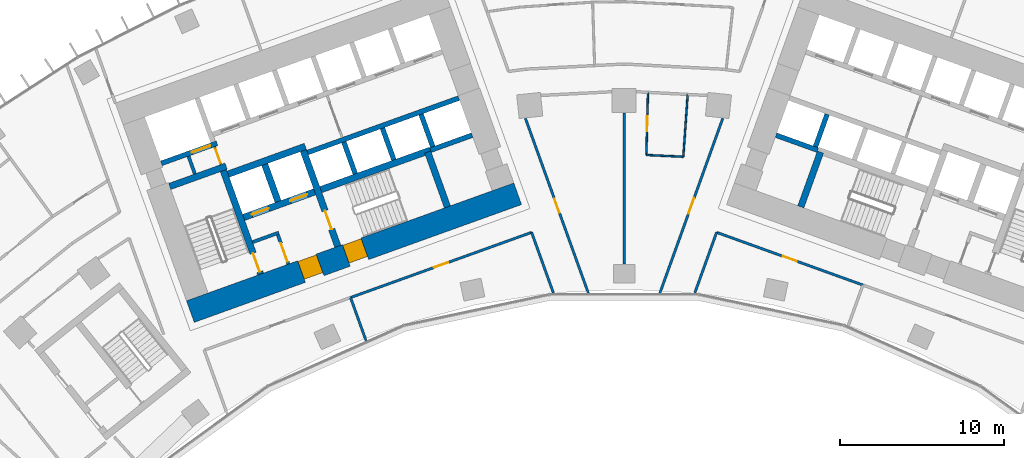
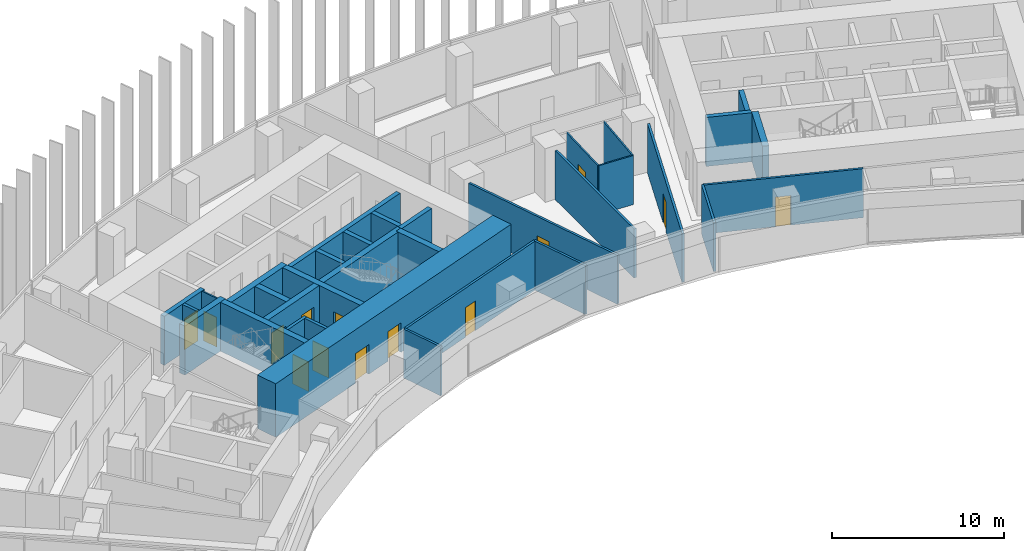
# One storey, part 17 of 23: 32 walls, 14 doors, 14 openings.
"""IFC4 building model written with IfcOpenShell, lengths in metres."""

from ifc_helpers import new_model, si_unit, direction, frame, frame_2d, origin, place, context, subcontext, project, spatial, rectangle, extrude, material, layer, layer_set, type_object, element, fill, save


model = new_model("IFC4")

# Units and contexts
model_context = context("Model", 3, precision=1e-05, world=origin(), true_north=direction((0.0, 1.0)))
body_context = subcontext(model_context, "Body", "Model", "MODEL_VIEW")
ifc_project = project(units=[si_unit("LENGTHUNIT", "METRE"), si_unit("AREAUNIT", "SQUARE_METRE"), si_unit("VOLUMEUNIT", "CUBIC_METRE"), si_unit("PLANEANGLEUNIT", "RADIAN"), si_unit("MASSUNIT", "GRAM", prefix="KILO")], contexts=[model_context])

# Site, building, storey
site_placement = place(None, origin())
site = spatial("IfcSite", under=ifc_project, at=site_placement, CompositionType="ELEMENT")
building_placement = place(site_placement, origin())
building = spatial("IfcBuilding", under=site, at=building_placement, Name="Stone Belt Terrace Tower", CompositionType="ELEMENT")
storey_placement = place(building_placement, frame((0.0, 0.0, 98.39990234375)))
storey = spatial("IfcBuildingStorey", under=building, at=storey_placement, Name="L23", CompositionType="ELEMENT", Elevation=98.39990234375)

# Wall, opening, door
ifc_material_1 = material(Name="Plasterboard partition")
ifc_layer_1 = layer(ifc_material_1, 0.10009765625)
ifc_layer_set_1 = layer_set([ifc_layer_1], Name="Core partition 100")
wall_type_1 = type_object("IfcWallType", Name="Core partition 100", PredefinedType="PARTITIONING", material=ifc_layer_set_1)
wall_1_placement = place(storey_placement, frame((-24.555908203125, 51.10400390625, 0.0), z_axis=(0.0, 0.0, 1.0), x_axis=(-0.338621735342, 0.94092258999, 0.0)))
wall_1 = element("IfcWall", 1, at=wall_1_placement, inside=storey, type_object=wall_type_1, Name="Core A wall", PredefinedType="PARTITIONING", context=body_context, shape_type="SweptSolid", body=[
    extrude(rectangle(XDim=1.14990234375, YDim=0.10009765625, at=frame_2d((0.574951171875, 0.0))), origin(), (0.0, 0.0, 1.0), 3.47998046875),
])
opening_1_placement = place(wall_1_placement, frame((0.050048828125, 0.0, 0.0)))
opening_1 = element("IfcOpeningElement", 2, at=opening_1_placement, cuts=wall_1, Name="Opening L23-C02", PredefinedType="OPENING", context=body_context, shape_type="SweptSolid", body=[
    extrude(rectangle(XDim=1.0, YDim=2.10009765625, at=frame_2d((0.5, 1.050048828125))), frame((0.0, 0.06005859375, 0.0), z_axis=(0.0, -1.0, 0.0), x_axis=(1.0, 0.0, 0.0)), (0.0, 0.0, 1.0), 0.1201171875),
])
ifc_material_2 = material(Name="Timber door leaf", Category="wood")
door_type_1 = type_object("IfcDoorType", Name="Core room door 1000", OperationType="SINGLE_SWING_LEFT", PredefinedType="DOOR", material=ifc_material_2)
door_1_placement = place(opening_1_placement, origin())
door_1 = element("IfcDoor", 3, at=door_1_placement, inside=storey, type_object=door_type_1, Name="Service lift lobby door core A", OperationType="SINGLE_SWING_RIGHT", OverallHeight=2.10009765625, OverallWidth=1.0, PredefinedType="DOOR", context=body_context, shape_type="SweptSolid", body=[
    extrude(rectangle(XDim=1.0, YDim=2.10009765625, at=frame_2d((0.5, 1.050048828125))), frame((0.0, 0.02490234375, 0.0), z_axis=(0.0, -1.0, 0.0), x_axis=(1.0, 0.0, 0.0)), (0.0, 0.0, 1.0), 0.050048828125),
])
fill(opening_1, door_1)

# Wall, openings, doors
ifc_material_3 = material(Name="Concrete B80", Category="concrete")
ifc_layer_2 = layer(ifc_material_3, 1.39990234375)
ifc_layer_set_2 = layer_set([ifc_layer_2], Name="Core wall 1400 B80")
wall_type_2 = type_object("IfcWallType", Name="Core wall 1400 B80", PredefinedType="SHEAR", material=ifc_layer_set_2)
wall_2_placement = place(storey_placement, frame((-26.430908203125, 42.139404296875, 0.0), z_axis=(0.0, 0.0, 1.0), x_axis=(0.940923374003, 0.33861955681, 0.0)))
wall_2 = element("IfcWall", 4, at=wall_2_placement, inside=storey, type_object=wall_type_2, Name="Core A wall concave L23", PredefinedType="SHEAR", context=body_context, shape_type="SweptSolid", body=[
    extrude(rectangle(XDim=21.199951171875, YDim=1.39990234375, at=frame_2d((10.60009765625, 0.0))), origin(), (0.0, 0.0, 1.0), 3.800048828125),
])
opening_2_placement = place(wall_2_placement, frame((7.199951171875, 0.0, 0.0)))
opening_2 = element("IfcOpeningElement", 5, at=opening_2_placement, cuts=wall_2, Name="Opening L23-C07", PredefinedType="OPENING", context=body_context, shape_type="SweptSolid", body=[
    extrude(rectangle(XDim=1.199951171875, YDim=2.10009765625, at=frame_2d((0.60009765625, 1.050048828125))), frame((0.0, 0.7099609375, 0.0), z_axis=(0.0, -1.0, 0.0), x_axis=(1.0, 0.0, 0.0)), (0.0, 0.0, 1.0), 1.419921875),
])
opening_3_placement = place(wall_2_placement, frame((10.099853515625, 0.0, 0.0)))
opening_3 = element("IfcOpeningElement", 6, at=opening_3_placement, cuts=wall_2, Name="Opening L23-C09", PredefinedType="OPENING", context=body_context, shape_type="SweptSolid", body=[
    extrude(rectangle(XDim=1.199951171875, YDim=2.10009765625, at=frame_2d((0.60009765625, 1.050048828125))), frame((0.0, 0.7099609375, 0.0), z_axis=(0.0, -1.0, 0.0), x_axis=(1.0, 0.0, 0.0)), (0.0, 0.0, 1.0), 1.419921875),
])
ifc_material_4 = material(Name="Steel door leaf", Category="steel")
door_type_2 = type_object("IfcDoorType", Name="Fire-fighting lobby door 1200", OperationType="SINGLE_SWING_LEFT", PredefinedType="DOOR", material=ifc_material_4)
door_2_placement = place(opening_2_placement, origin())
door_2 = element("IfcDoor", 7, at=door_2_placement, inside=storey, type_object=door_type_2, Name="Fire-fighting lobby door core A", OperationType="SINGLE_SWING_RIGHT", OverallHeight=2.10009765625, OverallWidth=1.199951171875, PredefinedType="DOOR", context=body_context, shape_type="SweptSolid", body=[
    extrude(rectangle(XDim=1.199951171875, YDim=2.10009765625, at=frame_2d((0.60009765625, 1.050048828125))), frame((0.0, 0.655029296875, 0.0), z_axis=(0.0, -1.0, 0.0), x_axis=(1.0, 0.0, 0.0)), (0.0, 0.0, 1.0), 1.14990234375),
])
fill(opening_2, door_2)
door_type_3 = type_object("IfcDoorType", Name="Stair door 1200", OperationType="SINGLE_SWING_LEFT", PredefinedType="DOOR", material=ifc_material_4)
door_3_placement = place(opening_3_placement, origin())
door_3 = element("IfcDoor", 8, at=door_3_placement, inside=storey, type_object=door_type_3, Name="Stair 2 exit door core A", OperationType="SINGLE_SWING_LEFT", OverallHeight=2.10009765625, OverallWidth=1.199951171875, PredefinedType="DOOR", context=body_context, shape_type="SweptSolid", body=[
    extrude(rectangle(XDim=1.199951171875, YDim=2.10009765625, at=frame_2d((0.60009765625, 1.050048828125))), frame((0.0, 0.655029296875, 0.0), z_axis=(0.0, -1.0, 0.0), x_axis=(1.0, 0.0, 0.0)), (0.0, 0.0, 1.0), 1.14990234375),
])
fill(opening_3, door_3)

# Walls
ifc_layer_3 = layer(ifc_material_3, 0.39990234375)
ifc_layer_set_3 = layer_set([ifc_layer_3], Name="Fire-fighting lift shaft wall 400")
wall_type_3 = type_object("IfcWallType", Name="Fire-fighting lift shaft wall 400", PredefinedType="SHEAR", material=ifc_layer_set_3)
wall_3_placement = place(storey_placement, frame((-24.130615234375, 50.512939453125, 0.0), z_axis=(0.0, 0.0, 1.0), x_axis=(0.94091168377, 0.338652038744, 0.0)))
element("IfcWall", 9, at=wall_3_placement, inside=storey, type_object=wall_type_3, Name="Core A wall", PredefinedType="SHEAR", context=body_context, shape_type="SweptSolid", body=[
    extrude(rectangle(XDim=5.000244140625, YDim=0.39990234375, at=frame_2d((2.5, 0.0))), origin(), (0.0, 0.0, 1.0), 3.47998046875),
])
wall_4_placement = place(storey_placement, frame((-21.0859375, 48.845458984375, 0.0), z_axis=(0.0, 0.0, 1.0), x_axis=(-0.338629416206, 0.940919825745, 0.0)))
element("IfcWall", 10, at=wall_4_placement, inside=storey, type_object=wall_type_3, Name="Core A wall", PredefinedType="SHEAR", context=body_context, shape_type="SweptSolid", body=[
    extrude(rectangle(XDim=2.400146484375, YDim=0.39990234375, at=frame_2d((1.2001953125, 0.0))), origin(), (0.0, 0.0, 1.0), 3.47998046875),
])

# Wall, opening, door
ifc_layer_4 = layer(ifc_material_3, 0.300048828125)
ifc_layer_set_4 = layer_set([ifc_layer_4], Name="Lift shaft wall 300")
wall_type_4 = type_object("IfcWallType", Name="Lift shaft wall 300", PredefinedType="SHEAR", material=ifc_layer_set_4)
wall_5_placement = place(storey_placement, frame((-28.195068359375, 51.17578125, 0.0), z_axis=(0.0, 0.0, 1.0), x_axis=(0.940901243567, 0.338681044427, 0.0)))
wall_5 = element("IfcWall", 11, at=wall_5_placement, inside=storey, type_object=wall_type_4, Name="Core A wall", PredefinedType="SHEAR", context=body_context, shape_type="SweptSolid", body=[
    extrude(rectangle(XDim=3.599853515625, YDim=0.300048828125, at=frame_2d((1.7998046875, 0.0))), origin(), (0.0, 0.0, 1.0), 3.47998046875),
])
opening_4_placement = place(wall_5_placement, frame((1.969970703125, 0.0, 0.0)))
opening_4 = element("IfcOpeningElement", 12, at=opening_4_placement, cuts=wall_5, Name="Opening L23-LD09", PredefinedType="OPENING", context=body_context, shape_type="SweptSolid", body=[
    extrude(rectangle(XDim=1.199951171875, YDim=2.199951171875, at=frame_2d((0.60009765625, 1.10009765625))), frame((0.0, 0.159912109375, 0.0), z_axis=(0.0, -1.0, 0.0), x_axis=(1.0, 0.0, 0.0)), (0.0, 0.0, 1.0), 0.320068359375),
])
ifc_material_5 = material(Name="Stainless steel door leaf", Category="steel")
door_type_4 = type_object("IfcDoorType", Name="Landing door 1200", OperationType="SLIDING_TO_LEFT", PredefinedType="DOOR", material=ifc_material_5)
door_4_placement = place(opening_4_placement, origin())
door_4 = element("IfcDoor", 13, at=door_4_placement, inside=storey, type_object=door_type_4, Name="Landing door SV1 core A", OperationType="SLIDING_TO_LEFT", OverallHeight=2.199951171875, OverallWidth=1.199951171875, PredefinedType="DOOR", context=body_context, shape_type="SweptSolid", body=[
    extrude(rectangle(XDim=1.199951171875, YDim=2.199951171875, at=frame_2d((0.60009765625, 1.10009765625))), frame((0.0, 0.02490234375, 0.0), z_axis=(0.0, -1.0, 0.0), x_axis=(1.0, 0.0, 0.0)), (0.0, 0.0, 1.0), 0.050048828125),
])
fill(opening_4, door_4)

# Walls
wall_6_placement = place(storey_placement, frame((-19.29052734375, 51.829833984375, 0.0), z_axis=(0.0, 0.0, 1.0), x_axis=(0.940925833398, 0.338612722803, 0.0)))
element("IfcWall", 14, at=wall_6_placement, inside=storey, type_object=wall_type_4, Name="Core A wall", PredefinedType="SHEAR", context=body_context, shape_type="SweptSolid", body=[
    extrude(rectangle(XDim=9.7998046875, YDim=0.300048828125, at=frame_2d((4.89990234375, 0.0))), origin(), (0.0, 0.0, 1.0), 3.47998046875),
])
for number, where, z_axis, x_axis, name in (
    (15, (-16.38134765625, 50.53857421875, 0.0), (0.0, 0.0, 1.0), (-0.338681515556, 0.940901073982, 0.0), "Core A wall"),
    (16, (-14.029052734375, 51.38525390625, 0.0), (0.0, 0.0, 1.0), (-0.338681515556, 0.940901073982, 0.0), "Core A wall"),
):
    element("IfcWall", number, at=place(storey_placement, frame(where, z_axis=z_axis, x_axis=x_axis)), inside=storey, type_object=wall_type_4, Name=name, PredefinedType="SHEAR", context=body_context, shape_type="SweptSolid", body=[
        extrude(rectangle(XDim=2.050048828125, YDim=0.300048828125, at=frame_2d((1.02490234375, 0.0))), origin(), (0.0, 0.0, 1.0), 3.47998046875),
    ])
wall_7_placement = place(storey_placement, frame((-11.797119140625, 51.975830078125, 0.0), z_axis=(0.0, 0.0, 1.0), x_axis=(0.940910465161, 0.33865542451, 0.0)))
element("IfcWall", 17, at=wall_7_placement, inside=storey, type_object=wall_type_4, Name="Core A wall", PredefinedType="SHEAR", context=body_context, shape_type="SweptSolid", body=[
    extrude(rectangle(XDim=2.69970703125, YDim=0.300048828125, at=frame_2d((1.349853515625, 0.0))), origin(), (0.0, 0.0, 1.0), 3.47998046875),
])
wall_8_placement = place(storey_placement, frame((-11.659912109375, 52.184814453125, 0.0), z_axis=(0.0, 0.0, 1.0), x_axis=(-0.338670064856, 0.940905195634, 0.0)))
element("IfcWall", 18, at=wall_8_placement, inside=storey, type_object=wall_type_4, Name="Core A wall", PredefinedType="SHEAR", context=body_context, shape_type="SweptSolid", body=[
    extrude(rectangle(XDim=2.099853515625, YDim=0.300048828125, at=frame_2d((1.0498046875, 0.0))), origin(), (0.0, 0.0, 1.0), 3.47998046875),
])
wall_9_placement = place(storey_placement, frame((11.797119140625, 51.975830078125, 0.0), z_axis=(0.0, 0.0, 1.0), x_axis=(-0.940910465161, 0.33865542451, 0.0)))
element("IfcWall", 19, at=wall_9_placement, inside=storey, type_object=wall_type_4, Name="Core B wall", PredefinedType="SHEAR", context=body_context, shape_type="SweptSolid", body=[
    extrude(rectangle(XDim=2.69970703125, YDim=0.300048828125, at=frame_2d((1.349853515625, 0.0))), origin(), (0.0, 0.0, 1.0), 3.47998046875),
])
wall_10_placement = place(storey_placement, frame((11.659912109375, 52.184814453125, 0.0), z_axis=(0.0, 0.0, 1.0), x_axis=(0.338670064856, 0.940905195634, 0.0)))
element("IfcWall", 20, at=wall_10_placement, inside=storey, type_object=wall_type_4, Name="Core B wall", PredefinedType="SHEAR", context=body_context, shape_type="SweptSolid", body=[
    extrude(rectangle(XDim=2.099853515625, YDim=0.300048828125, at=frame_2d((1.0498046875, 0.0))), origin(), (0.0, 0.0, 1.0), 3.47998046875),
])

# Wall, opening, door
ifc_material_6 = material(Name="Gypsum board partition")
ifc_layer_5 = layer(ifc_material_6, 0.10009765625)
ifc_layer_set_5 = layer_set([ifc_layer_5], Name="PARTITION 100")
wall_type_5 = type_object("IfcWallType", Name="PARTITION 100", PredefinedType="PARTITIONING", material=ifc_layer_set_5)
wall_11_placement = place(storey_placement, frame((1.4541015625, 55.4990234375, 0.0), z_axis=(0.0, 0.0, 1.0), x_axis=(-0.025958630336, -0.999663017977, 0.0)))
wall_11 = element("IfcWall", 21, at=wall_11_placement, inside=storey, type_object=wall_type_5, Name="L23/wall/i090", PredefinedType="PARTITIONING", context=body_context, shape_type="SweptSolid", body=[
    extrude(rectangle(XDim=3.818359375, YDim=0.10009765625, at=frame_2d((1.9091796875, 0.0))), origin(), (0.0, 0.0, 1.0), 3.47998046875),
])
opening_5_placement = place(wall_11_placement, frame((1.459228515625, 0.0, 0.0)))
opening_5 = element("IfcOpeningElement", 22, at=opening_5_placement, cuts=wall_11, Name="Opening D-B2-28", PredefinedType="OPENING", context=body_context, shape_type="SweptSolid", body=[
    extrude(rectangle(XDim=0.89990234375, YDim=2.10009765625, at=frame_2d((0.449951171875, 1.050048828125))), frame((0.0, 0.06005859375, 0.0), z_axis=(0.0, -1.0, 0.0), x_axis=(1.0, 0.0, 0.0)), (0.0, 0.0, 1.0), 0.1201171875),
])
door_type_5 = type_object("IfcDoorType", Name="OFFICE DOOR 900 X 2100", OperationType="NOTDEFINED", PredefinedType="DOOR", material=ifc_material_2)
door_5_placement = place(opening_5_placement, origin())
door_5 = element("IfcDoor", 23, at=door_5_placement, inside=storey, type_object=door_type_5, Name="L23/door/i28", OperationType="SINGLE_SWING_RIGHT", OverallHeight=2.10009765625, OverallWidth=0.89990234375, PredefinedType="DOOR", context=body_context, shape_type="SweptSolid", body=[
    extrude(rectangle(XDim=0.89990234375, YDim=2.10009765625, at=frame_2d((0.449951171875, 1.050048828125))), frame((0.0, 0.02490234375, 0.0), z_axis=(0.0, -1.0, 0.0), x_axis=(1.0, 0.0, 0.0)), (0.0, 0.0, 1.0), 0.050048828125),
])
fill(opening_5, door_5)

# Walls
wall_12_placement = place(storey_placement, frame((1.35498046875, 51.681884765625, 0.0), z_axis=(0.0, 0.0, 1.0), x_axis=(0.998855865407, -0.047822172066, 0.0)))
element("IfcWall", 24, at=wall_12_placement, inside=storey, type_object=wall_type_5, Name="L23/wall/i091", PredefinedType="PARTITIONING", context=body_context, shape_type="SweptSolid", body=[
    extrude(rectangle(XDim=2.256591796875, YDim=0.10009765625, at=frame_2d((1.12841796875, 0.0))), origin(), (0.0, 0.0, 1.0), 3.47998046875),
])
wall_13_placement = place(storey_placement, frame((3.60888671875, 51.573974609375, 0.0), z_axis=(0.0, 0.0, 1.0), x_axis=(0.069893575531, 0.997554453701, 0.0)))
element("IfcWall", 25, at=wall_13_placement, inside=storey, type_object=wall_type_5, Name="L23/wall/i092", PredefinedType="PARTITIONING", context=body_context, shape_type="SweptSolid", body=[
    extrude(rectangle(XDim=3.807373046875, YDim=0.10009765625, at=frame_2d((1.90380859375, 0.0))), origin(), (0.0, 0.0, 1.0), 3.47998046875),
])
ifc_layer_6 = layer(ifc_material_6, 0.14990234375)
ifc_layer_set_6 = layer_set([ifc_layer_6], Name="PARTITION 150 EI 60")
wall_type_6 = type_object("IfcWallType", Name="PARTITION 150 EI 60", PredefinedType="PARTITIONING", material=ifc_layer_set_6)
wall_14_placement = place(storey_placement, frame((-4.31005859375, 43.27783203125, 0.0), z_axis=(0.0, 0.0, 1.0), x_axis=(-0.338490436495, 0.940969831823, 0.0)))
element("IfcWall", 26, at=wall_14_placement, inside=storey, type_object=wall_type_6, Name="L23/wall/i007", PredefinedType="PARTITIONING", context=body_context, shape_type="SweptSolid", body=[
    extrude(rectangle(XDim=3.92578125, YDim=0.14990234375, at=frame_2d((1.962890625, 0.0))), origin(), (0.0, 0.0, 1.0), 3.47998046875),
])

# Wall, opening, door
wall_15_placement = place(storey_placement, frame((-6.011962890625, 53.911865234375, 0.0), z_axis=(0.0, 0.0, 1.0), x_axis=(0.338656837626, -0.940909956547, 0.0)))
wall_15 = element("IfcWall", 27, at=wall_15_placement, inside=storey, type_object=wall_type_6, Name="L23/wall/i009", PredefinedType="PARTITIONING", context=body_context, shape_type="SweptSolid", body=[
    extrude(rectangle(XDim=11.319091796875, YDim=0.14990234375, at=frame_2d((5.65966796875, 0.0))), origin(), (0.0, 0.0, 1.0), 3.47998046875),
])
opening_6_placement = place(wall_15_placement, frame((5.20947265625, 0.0, 0.0)))
opening_6 = element("IfcOpeningElement", 28, at=opening_6_placement, cuts=wall_15, Name="Opening D-B2-26", PredefinedType="OPENING", context=body_context, shape_type="SweptSolid", body=[
    extrude(rectangle(XDim=0.89990234375, YDim=2.10009765625, at=frame_2d((0.449951171875, 1.050048828125))), frame((0.0, 0.0849609375, 0.0), z_axis=(0.0, -1.0, 0.0), x_axis=(1.0, 0.0, 0.0)), (0.0, 0.0, 1.0), 0.169921875),
])
door_6_placement = place(opening_6_placement, origin())
door_6 = element("IfcDoor", 29, at=door_6_placement, inside=storey, type_object=door_type_5, Name="L23/door/i26", OperationType="SINGLE_SWING_RIGHT", OverallHeight=2.10009765625, OverallWidth=0.89990234375, PredefinedType="DOOR", context=body_context, shape_type="SweptSolid", body=[
    extrude(rectangle(XDim=0.89990234375, YDim=2.10009765625, at=frame_2d((0.449951171875, 1.050048828125))), frame((0.0, 0.02490234375, 0.0), z_axis=(0.0, -1.0, 0.0), x_axis=(1.0, 0.0, 0.0)), (0.0, 0.0, 1.0), 0.050048828125),
])
fill(opening_6, door_6)

wall_16_placement = place(storey_placement, frame((-5.636962890625, 46.966064453125, 0.0), z_axis=(0.0, 0.0, 1.0), x_axis=(-0.940912345084, -0.338650201342, 0.0)))
wall_16 = element("IfcWall", 30, at=wall_16_placement, inside=storey, type_object=wall_type_6, Name="L23/wall/i013", PredefinedType="PARTITIONING", context=body_context, shape_type="SweptSolid", body=[
    extrude(rectangle(XDim=11.732177734375, YDim=0.14990234375, at=frame_2d((5.8662109375, 0.0))), origin(), (0.0, 0.0, 1.0), 3.47998046875),
])
opening_7_placement = place(wall_16_placement, frame((5.416015625, 0.0, 0.0)))
opening_7 = element("IfcOpeningElement", 31, at=opening_7_placement, cuts=wall_16, Name="Opening D-B2-02", PredefinedType="OPENING", context=body_context, shape_type="SweptSolid", body=[
    extrude(rectangle(XDim=0.89990234375, YDim=2.10009765625, at=frame_2d((0.449951171875, 1.050048828125))), frame((0.0, 0.0849609375, 0.0), z_axis=(0.0, -1.0, 0.0), x_axis=(1.0, 0.0, 0.0)), (0.0, 0.0, 1.0), 0.169921875),
])
door_7_placement = place(opening_7_placement, origin())
door_7 = element("IfcDoor", 32, at=door_7_placement, inside=storey, type_object=door_type_5, Name="L23/door/i02", OperationType="SINGLE_SWING_RIGHT", OverallHeight=2.10009765625, OverallWidth=0.89990234375, PredefinedType="DOOR", context=body_context, shape_type="SweptSolid", body=[
    extrude(rectangle(XDim=0.89990234375, YDim=2.10009765625, at=frame_2d((0.449951171875, 1.050048828125))), frame((0.0, 0.02490234375, 0.0), z_axis=(0.0, -1.0, 0.0), x_axis=(1.0, 0.0, 0.0)), (0.0, 0.0, 1.0), 0.050048828125),
])
fill(opening_7, door_7)

# Walls
wall_17_placement = place(storey_placement, frame((-16.669921875, 42.9951171875, 0.0), z_axis=(0.0, 0.0, 1.0), x_axis=(0.338497487459, -0.940967295385, 0.0)))
element("IfcWall", 33, at=wall_17_placement, inside=storey, type_object=wall_type_6, Name="L23/wall/i014", PredefinedType="PARTITIONING", context=body_context, shape_type="SweptSolid", body=[
    extrude(rectangle(XDim=2.80419921875, YDim=0.14990234375, at=frame_2d((1.402099609375, 0.0))), origin(), (0.0, 0.0, 1.0), 3.47998046875),
])
wall_18_placement = place(storey_placement, frame((5.638916015625, 46.971923828125, 0.0), z_axis=(0.0, 0.0, 1.0), x_axis=(-0.338490436495, -0.940969831823, 0.0)))
element("IfcWall", 34, at=wall_18_placement, inside=storey, type_object=wall_type_6, Name="L23/wall/i016", PredefinedType="PARTITIONING", context=body_context, shape_type="SweptSolid", body=[
    extrude(rectangle(XDim=3.92578125, YDim=0.14990234375, at=frame_2d((1.962890625, 0.0))), origin(), (0.0, 0.0, 1.0), 3.47998046875),
])

# Wall, opening, door
wall_19_placement = place(storey_placement, frame((2.1787109375, 43.26171875, 0.0), z_axis=(0.0, 0.0, 1.0), x_axis=(0.338656837626, 0.940909956547, 0.0)))
wall_19 = element("IfcWall", 35, at=wall_19_placement, inside=storey, type_object=wall_type_6, Name="L23/wall/i018", PredefinedType="PARTITIONING", context=body_context, shape_type="SweptSolid", body=[
    extrude(rectangle(XDim=11.319091796875, YDim=0.14990234375, at=frame_2d((5.65966796875, 0.0))), origin(), (0.0, 0.0, 1.0), 3.47998046875),
])
opening_8_placement = place(wall_19_placement, frame((5.159423828125, 0.0, 0.0)))
opening_8 = element("IfcOpeningElement", 36, at=opening_8_placement, cuts=wall_19, Name="Opening D-B2-27", PredefinedType="OPENING", context=body_context, shape_type="SweptSolid", body=[
    extrude(rectangle(XDim=1.0, YDim=2.10009765625, at=frame_2d((0.5, 1.050048828125))), frame((0.0, 0.0849609375, 0.0), z_axis=(0.0, -1.0, 0.0), x_axis=(1.0, 0.0, 0.0)), (0.0, 0.0, 1.0), 0.169921875),
])
ifc_material_7 = material(Name="Timber fire door leaf", Category="wood")
door_type_6 = type_object("IfcDoorType", Name="TENANCY ENTRANCE DOOR 1000 X 2100", OperationType="NOTDEFINED", PredefinedType="DOOR", material=ifc_material_7)
door_8_placement = place(opening_8_placement, origin())
door_8 = element("IfcDoor", 37, at=door_8_placement, inside=storey, type_object=door_type_6, Name="L23/door/i27", OperationType="SINGLE_SWING_LEFT", OverallHeight=2.10009765625, OverallWidth=1.0, PredefinedType="DOOR", context=body_context, shape_type="SweptSolid", body=[
    extrude(rectangle(XDim=1.0, YDim=2.10009765625, at=frame_2d((0.5, 1.050048828125))), frame((0.0, 0.02490234375, 0.0), z_axis=(0.0, -1.0, 0.0), x_axis=(1.0, 0.0, 0.0)), (0.0, 0.0, 1.0), 0.050048828125),
])
fill(opening_8, door_8)

wall_20_placement = place(storey_placement, frame((14.55810546875, 43.7548828125, 0.0), z_axis=(0.0, 0.0, 1.0), x_axis=(-0.940901853913, 0.3386793488, 0.0)))
wall_20 = element("IfcWall", 38, at=wall_20_placement, inside=storey, type_object=wall_type_6, Name="L23/wall/i023", PredefinedType="PARTITIONING", context=body_context, shape_type="SweptSolid", body=[
    extrude(rectangle(XDim=9.4814453125, YDim=0.14990234375, at=frame_2d((4.74072265625, 0.0))), origin(), (0.0, 0.0, 1.0), 3.47998046875),
])
opening_9_placement = place(wall_20_placement, frame((4.29052734375, 0.0, 0.0)))
opening_9 = element("IfcOpeningElement", 39, at=opening_9_placement, cuts=wall_20, Name="Opening D-B2-05", PredefinedType="OPENING", context=body_context, shape_type="SweptSolid", body=[
    extrude(rectangle(XDim=0.89990234375, YDim=2.10009765625, at=frame_2d((0.449951171875, 1.050048828125))), frame((0.0, 0.0849609375, 0.0), z_axis=(0.0, -1.0, 0.0), x_axis=(1.0, 0.0, 0.0)), (0.0, 0.0, 1.0), 0.169921875),
])
door_9_placement = place(opening_9_placement, origin())
door_9 = element("IfcDoor", 40, at=door_9_placement, inside=storey, type_object=door_type_5, Name="L23/door/i05", OperationType="SINGLE_SWING_RIGHT", OverallHeight=2.10009765625, OverallWidth=0.89990234375, PredefinedType="DOOR", context=body_context, shape_type="SweptSolid", body=[
    extrude(rectangle(XDim=0.89990234375, YDim=2.10009765625, at=frame_2d((0.449951171875, 1.050048828125))), frame((0.0, 0.02490234375, 0.0), z_axis=(0.0, -1.0, 0.0), x_axis=(1.0, 0.0, 0.0)), (0.0, 0.0, 1.0), 0.050048828125),
])
fill(opening_9, door_9)

# Walls
wall_21_placement = place(storey_placement, frame((0.0, 54.2451171875, 0.0), z_axis=(0.0, 0.0, 1.0), x_axis=(0.0, -1.0, 0.0)))
element("IfcWall", 41, at=wall_21_placement, inside=storey, type_object=wall_type_6, Name="L23/wall/i089", PredefinedType="PARTITIONING", context=body_context, shape_type="SweptSolid", body=[
    extrude(rectangle(XDim=9.195068359375, YDim=0.14990234375, at=frame_2d((4.59765625, 0.0))), origin(), (0.0, 0.0, 1.0), 3.47998046875),
])
ifc_material_8 = material(Name="Concrete masonry block", Category="masonry")
ifc_layer_7 = layer(ifc_material_8, 0.199951171875)
ifc_layer_set_7 = layer_set([ifc_layer_7], Name="Rated lobby wall 200")
wall_type_7 = type_object("IfcWallType", Name="Rated lobby wall 200", PredefinedType="PARTITIONING", material=ifc_layer_set_7)
wall_22_placement = place(storey_placement, frame((-26.1552734375, 50.5283203125, 0.0), z_axis=(0.0, 0.0, 1.0), x_axis=(-0.338621735342, 0.94092258999, 0.0)))
element("IfcWall", 42, at=wall_22_placement, inside=storey, type_object=wall_type_7, Name="Core A wall", PredefinedType="PARTITIONING", context=body_context, shape_type="SweptSolid", body=[
    extrude(rectangle(XDim=1.14990234375, YDim=0.199951171875, at=frame_2d((0.574951171875, 0.0))), origin(), (0.0, 0.0, 1.0), 3.47998046875),
])
wall_23_placement = place(storey_placement, frame((-22.640625, 46.373046875, 0.0), z_axis=(0.0, 0.0, 1.0), x_axis=(0.940966110313, 0.338500781747, 0.0)))
element("IfcWall", 43, at=wall_23_placement, inside=storey, type_object=wall_type_7, Name="Core A wall", PredefinedType="PARTITIONING", context=body_context, shape_type="SweptSolid", body=[
    extrude(rectangle(XDim=1.699951171875, YDim=0.199951171875, at=frame_2d((0.85009765625, 0.0))), origin(), (0.0, 0.0, 1.0), 3.47998046875),
])

# Wall, opening, door
wall_24_placement = place(storey_placement, frame((-20.4580078125, 45.032958984375, 0.0), z_axis=(0.0, 0.0, 1.0), x_axis=(-0.338573865316, 0.940939816208, 0.0)))
wall_24 = element("IfcWall", 44, at=wall_24_placement, inside=storey, type_object=wall_type_7, Name="Core A wall", PredefinedType="PARTITIONING", context=body_context, shape_type="SweptSolid", body=[
    extrude(rectangle(XDim=1.900146484375, YDim=0.199951171875, at=frame_2d((0.9501953125, 0.0))), origin(), (0.0, 0.0, 1.0), 3.47998046875),
])
opening_10_placement = place(wall_24_placement, frame((0.14990234375, 0.0, 0.0)))
opening_10 = element("IfcOpeningElement", 45, at=opening_10_placement, cuts=wall_24, Name="Opening L23-C06", PredefinedType="OPENING", context=body_context, shape_type="SweptSolid", body=[
    extrude(rectangle(XDim=1.199951171875, YDim=2.10009765625, at=frame_2d((0.60009765625, 1.050048828125))), frame((0.0, 0.10986328125, 0.0), z_axis=(0.0, -1.0, 0.0), x_axis=(1.0, 0.0, 0.0)), (0.0, 0.0, 1.0), 0.219970703125),
])
door_10_placement = place(opening_10_placement, origin())
door_10 = element("IfcDoor", 46, at=door_10_placement, inside=storey, type_object=door_type_3, Name="Stair airlock door core A", OperationType="SINGLE_SWING_RIGHT", OverallHeight=2.10009765625, OverallWidth=1.199951171875, PredefinedType="DOOR", context=body_context, shape_type="SweptSolid", body=[
    extrude(rectangle(XDim=1.199951171875, YDim=2.10009765625, at=frame_2d((0.60009765625, 1.050048828125))), frame((0.0, 0.02490234375, 0.0), z_axis=(0.0, -1.0, 0.0), x_axis=(1.0, 0.0, 0.0)), (0.0, 0.0, 1.0), 0.050048828125),
])
fill(opening_10, door_10)

# Wall
ifc_layer_8 = layer(ifc_material_3, 0.39990234375)
ifc_layer_set_8 = layer_set([ifc_layer_8], Name="Stair enclosure wall 400")
wall_type_8 = type_object("IfcWallType", Name="Stair enclosure wall 400", PredefinedType="SHEAR", material=ifc_layer_set_8)
wall_25_placement = place(storey_placement, frame((-27.687255859375, 49.764404296875, 0.0), z_axis=(0.0, 0.0, 1.0), x_axis=(0.940918954884, 0.338631835981, 0.0)))
element("IfcWall", 47, at=wall_25_placement, inside=storey, type_object=wall_type_8, Name="Core A wall", PredefinedType="SHEAR", context=body_context, shape_type="SweptSolid", body=[
    extrude(rectangle(XDim=3.650146484375, YDim=0.39990234375, at=frame_2d((1.8251953125, 0.0))), origin(), (0.0, 0.0, 1.0), 3.47998046875),
])

# Wall, opening, door
wall_26_placement = place(storey_placement, frame((-22.151611328125, 44.42333984375, 0.0), z_axis=(0.0, 0.0, 1.0), x_axis=(-0.338625272931, 0.940921316866, 0.0)))
wall_26 = element("IfcWall", 48, at=wall_26_placement, inside=storey, type_object=wall_type_8, Name="Core A wall", PredefinedType="SHEAR", context=body_context, shape_type="SweptSolid", body=[
    extrude(rectangle(XDim=6.699951171875, YDim=0.39990234375, at=frame_2d((3.35009765625, 0.0))), origin(), (0.0, 0.0, 1.0), 3.47998046875),
])
opening_11_placement = place(wall_26_placement, frame((0.14990234375, 0.0, 0.0)))
opening_11 = element("IfcOpeningElement", 49, at=opening_11_placement, cuts=wall_26, Name="Opening L23-C05", PredefinedType="OPENING", context=body_context, shape_type="SweptSolid", body=[
    extrude(rectangle(XDim=1.199951171875, YDim=2.10009765625, at=frame_2d((0.60009765625, 1.050048828125))), frame((0.0, 0.2099609375, 0.0), z_axis=(0.0, -1.0, 0.0), x_axis=(1.0, 0.0, 0.0)), (0.0, 0.0, 1.0), 0.419921875),
])
door_11_placement = place(opening_11_placement, origin())
door_11 = element("IfcDoor", 50, at=door_11_placement, inside=storey, type_object=door_type_3, Name="Stair 1 door core A", OperationType="SINGLE_SWING_RIGHT", OverallHeight=2.10009765625, OverallWidth=1.199951171875, PredefinedType="DOOR", context=body_context, shape_type="SweptSolid", body=[
    extrude(rectangle(XDim=1.199951171875, YDim=2.10009765625, at=frame_2d((0.60009765625, 1.050048828125))), frame((0.0, 0.02490234375, 0.0), z_axis=(0.0, -1.0, 0.0), x_axis=(1.0, 0.0, 0.0)), (0.0, 0.0, 1.0), 0.050048828125),
])
fill(opening_11, door_11)

# Wall, openings, doors
wall_27_placement = place(storey_placement, frame((-23.182373046875, 47.87841796875, 0.0), z_axis=(0.0, 0.0, 1.0), x_axis=(0.940921101762, 0.338625870628, 0.0)))
wall_27 = element("IfcWall", 51, at=wall_27_placement, inside=storey, type_object=wall_type_8, Name="Core A wall", PredefinedType="SHEAR", context=body_context, shape_type="SweptSolid", body=[
    extrude(rectangle(XDim=12.10009765625, YDim=0.39990234375, at=frame_2d((6.050048828125, 0.0))), origin(), (0.0, 0.0, 1.0), 3.47998046875),
])
opening_12_placement = place(wall_27_placement, frame((0.52001953125, 0.0, 0.0)))
opening_12 = element("IfcOpeningElement", 52, at=opening_12_placement, cuts=wall_27, Name="Opening L23-LD07", PredefinedType="OPENING", context=body_context, shape_type="SweptSolid", body=[
    extrude(rectangle(XDim=1.10009765625, YDim=2.199951171875, at=frame_2d((0.550048828125, 1.10009765625))), frame((0.0, 0.2099609375, 0.0), z_axis=(0.0, -1.0, 0.0), x_axis=(1.0, 0.0, 0.0)), (0.0, 0.0, 1.0), 0.419921875),
])
opening_13_placement = place(wall_27_placement, frame((3.02001953125, 0.0, 0.0)))
opening_13 = element("IfcOpeningElement", 53, at=opening_13_placement, cuts=wall_27, Name="Opening L23-LD08", PredefinedType="OPENING", context=body_context, shape_type="SweptSolid", body=[
    extrude(rectangle(XDim=1.10009765625, YDim=2.199951171875, at=frame_2d((0.550048828125, 1.10009765625))), frame((0.0, 0.2099609375, 0.0), z_axis=(0.0, -1.0, 0.0), x_axis=(1.0, 0.0, 0.0)), (0.0, 0.0, 1.0), 0.419921875),
])
door_type_7 = type_object("IfcDoorType", Name="Landing door 1100", OperationType="SLIDING_TO_LEFT", PredefinedType="DOOR", material=ifc_material_5)
door_12_placement = place(opening_12_placement, origin())
door_12 = element("IfcDoor", 54, at=door_12_placement, inside=storey, type_object=door_type_7, Name="Landing door FF1 core A", OperationType="SLIDING_TO_LEFT", OverallHeight=2.199951171875, OverallWidth=1.10009765625, PredefinedType="DOOR", context=body_context, shape_type="SweptSolid", body=[
    extrude(rectangle(XDim=1.10009765625, YDim=2.199951171875, at=frame_2d((0.550048828125, 1.10009765625))), frame((0.0, 0.02490234375, 0.0), z_axis=(0.0, -1.0, 0.0), x_axis=(1.0, 0.0, 0.0)), (0.0, 0.0, 1.0), 0.050048828125),
])
fill(opening_12, door_12)
door_13_placement = place(opening_13_placement, origin())
door_13 = element("IfcDoor", 55, at=door_13_placement, inside=storey, type_object=door_type_7, Name="Landing door FF2 core A", OperationType="SLIDING_TO_LEFT", OverallHeight=2.199951171875, OverallWidth=1.10009765625, PredefinedType="DOOR", context=body_context, shape_type="SweptSolid", body=[
    extrude(rectangle(XDim=1.10009765625, YDim=2.199951171875, at=frame_2d((0.550048828125, 1.10009765625))), frame((0.0, 0.02490234375, 0.0), z_axis=(0.0, -1.0, 0.0), x_axis=(1.0, 0.0, 0.0)), (0.0, 0.0, 1.0), 0.050048828125),
])
fill(opening_13, door_13)

# Wall, opening, door
wall_28_placement = place(storey_placement, frame((-17.447021484375, 46.116455078125, 0.0), z_axis=(0.0, 0.0, 1.0), x_axis=(-0.33860791464, 0.940927563707, 0.0)))
wall_28 = element("IfcWall", 56, at=wall_28_placement, inside=storey, type_object=wall_type_8, Name="Core A wall", PredefinedType="SHEAR", context=body_context, shape_type="SweptSolid", body=[
    extrude(rectangle(XDim=6.199951171875, YDim=0.39990234375, at=frame_2d((3.10009765625, 0.0))), origin(), (0.0, 0.0, 1.0), 3.47998046875),
])
opening_14_placement = place(wall_28_placement, frame((1.10009765625, 0.0, 0.0)))
opening_14 = element("IfcOpeningElement", 57, at=opening_14_placement, cuts=wall_28, Name="Opening L23-C08", PredefinedType="OPENING", context=body_context, shape_type="SweptSolid", body=[
    extrude(rectangle(XDim=1.199951171875, YDim=2.10009765625, at=frame_2d((0.60009765625, 1.050048828125))), frame((0.0, 0.2099609375, 0.0), z_axis=(0.0, -1.0, 0.0), x_axis=(1.0, 0.0, 0.0)), (0.0, 0.0, 1.0), 0.419921875),
])
door_14_placement = place(opening_14_placement, origin())
door_14 = element("IfcDoor", 58, at=door_14_placement, inside=storey, type_object=door_type_3, Name="Stair 2 door core A", OperationType="SINGLE_SWING_RIGHT", OverallHeight=2.10009765625, OverallWidth=1.199951171875, PredefinedType="DOOR", context=body_context, shape_type="SweptSolid", body=[
    extrude(rectangle(XDim=1.199951171875, YDim=2.10009765625, at=frame_2d((0.60009765625, 1.050048828125))), frame((0.0, 0.02490234375, 0.0), z_axis=(0.0, -1.0, 0.0), x_axis=(1.0, 0.0, 0.0)), (0.0, 0.0, 1.0), 0.050048828125),
])
fill(opening_14, door_14)

# Walls
for number, where, z_axis, x_axis, name in (
    (59, (-10.766357421875, 48.520751953125, 0.0), (0.0, 0.0, 1.0), (-0.338626928157, 0.94092072117, 0.0), "Core A wall"),
    (60, (10.766357421875, 48.520751953125, 0.0), (0.0, 0.0, 1.0), (0.338626928157, 0.94092072117, 0.0), "Core B wall"),
):
    element("IfcWall", number, at=place(storey_placement, frame(where, z_axis=z_axis, x_axis=x_axis)), inside=storey, type_object=wall_type_8, Name=name, PredefinedType="SHEAR", context=body_context, shape_type="SweptSolid", body=[
        extrude(rectangle(XDim=3.550048828125, YDim=0.39990234375, at=frame_2d((1.77490234375, 0.0))), origin(), (0.0, 0.0, 1.0), 3.47998046875),
    ])

save(model, "model.ifc")
